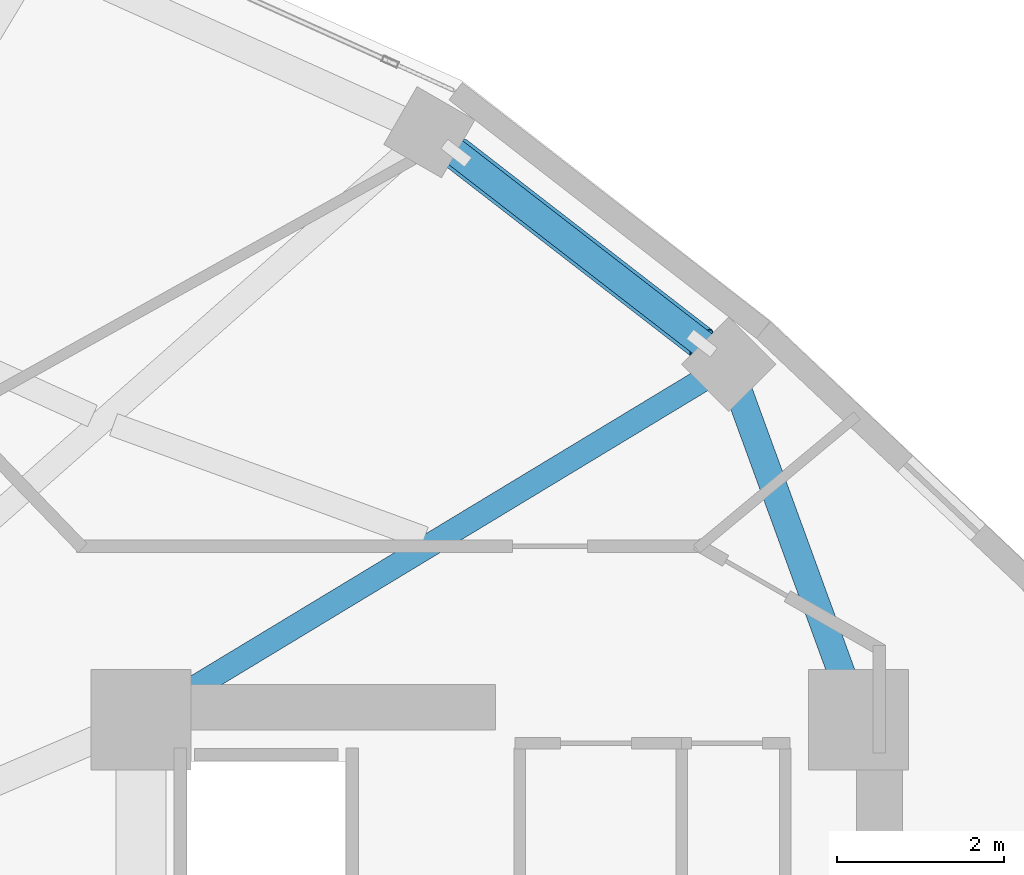
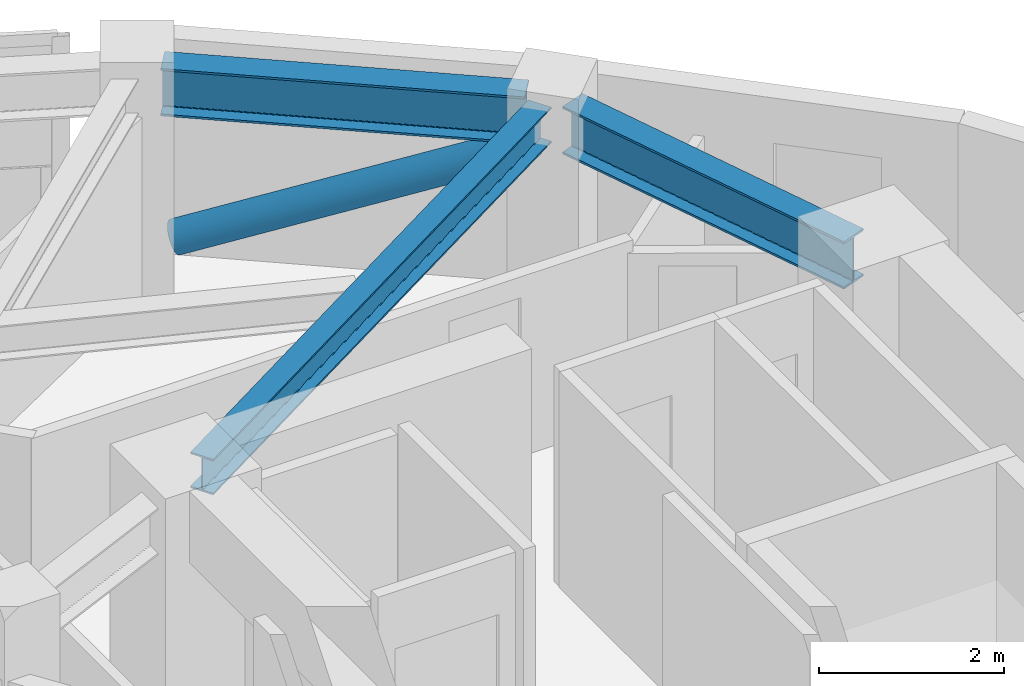
# One storey, part 6 of 16: 3 beams, 1 member.
"""IFC4 building model written with IfcOpenShell, lengths in metres."""

from ifc_helpers import new_model, si_unit, direction, frame, origin, origin_2d, place, context, subcontext, project, spatial, hollow_circle, i_section, extrude, material, material_profile, profile_set, type_object, element, save


model = new_model("IFC4")

# Units and contexts
model_context = context("Model", 3, precision=1e-05, world=origin(), true_north=direction((0.0, 1.0)))
body_context = subcontext(model_context, "Body", "Model", "MODEL_VIEW")
ifc_project = project(units=[si_unit("LENGTHUNIT", "METRE"), si_unit("AREAUNIT", "SQUARE_METRE"), si_unit("VOLUMEUNIT", "CUBIC_METRE"), si_unit("PLANEANGLEUNIT", "RADIAN"), si_unit("MASSUNIT", "GRAM", prefix="KILO")], contexts=[model_context])

# Site, building, storey
site_placement = place(None, origin())
site = spatial("IfcSite", under=ifc_project, at=site_placement, CompositionType="ELEMENT")
building_placement = place(site_placement, origin())
building = spatial("IfcBuilding", under=site, at=building_placement, Name="Solvane Sanctuary Tower", CompositionType="ELEMENT")
storey_placement = place(building_placement, frame((0.0, 0.0, 226.39990234375)))
storey = spatial("IfcBuildingStorey", under=building, at=storey_placement, Name="L69", CompositionType="ELEMENT", Elevation=226.39990234375)

# Beams
ifc_material = material(Name="Steel ASTM A992 Grade 50", Category="steel")
ifc_material_profile_1 = material_profile(ifc_material, i_section(OverallWidth=0.282958984375, OverallDepth=0.471923828125, WebThickness=0.013671875, FlangeThickness=0.022216796875, FilletRadius=0.013916015625, at=origin_2d()), Name="W18X97")
ifc_profile_set_1 = profile_set([ifc_material_profile_1], Name="Steel ASTM A992 Grade 50")
beam_type_1 = type_object("IfcBeamType", Name="Beam B-RAD-Z4 W18X97", PredefinedType="JOIST", material=ifc_profile_set_1)
beam_1_placement = place(storey_placement, frame((40.407958984375, 30.38623046875, 2.64208984375), z_axis=(0.855612120123, 0.517617522789, 0.0), x_axis=(-0.517617522789, 0.855612120123, 0.0)))
element("IfcBeam", 1, at=beam_1_placement, inside=storey, type_object=beam_type_1, Name="L69 Radial Composite Floor Beam 01", PredefinedType="JOIST", context=body_context, shape_type="SweptSolid", body=[
    extrude(i_section(OverallWidth=0.282958984375, OverallDepth=0.471923828125, WebThickness=0.013671875, FlangeThickness=0.022216796875, FilletRadius=0.013916015625, at=origin_2d()), origin(), (0.0, 0.0, 1.0), 7.59375),
])
ifc_material_profile_2 = material_profile(ifc_material, i_section(OverallWidth=0.327880859375, OverallDepth=0.6279296875, WebThickness=0.0166015625, FlangeThickness=0.027587890625, FilletRadius=0.01611328125, at=origin_2d()), Name="W24X146")
ifc_profile_set_2 = profile_set([ifc_material_profile_2], Name="Steel ASTM A992 Grade 50")
beam_type_2 = type_object("IfcBeamType", Name="Beam B-SPAND-Z3 W24X146", PredefinedType="SPANDREL", material=ifc_profile_set_2)
beam_2_placement = place(storey_placement, frame((43.776611328125, 37.070068359375, 2.564208984375), z_axis=(0.79064516309, -0.612274632891, 0.0), x_axis=(0.612274632891, 0.79064516309, 0.0)))
element("IfcBeam", 2, at=beam_2_placement, inside=storey, type_object=beam_type_2, Name="L69 Perimeter Spandrel Beam TC02-TC01", PredefinedType="SPANDREL", context=body_context, shape_type="SweptSolid", body=[
    extrude(i_section(OverallWidth=0.327880859375, OverallDepth=0.6279296875, WebThickness=0.0166015625, FlangeThickness=0.027587890625, FilletRadius=0.01611328125, at=origin_2d()), origin(), (0.0, 0.0, 1.0), 3.980224609375),
])
beam_3_placement = place(storey_placement, frame((47.240966796875, 34.19873046875, 2.564208984375), z_axis=(0.34275337431, -0.939425422478, 0.0), x_axis=(0.939425422478, 0.34275337431, 0.0)))
element("IfcBeam", 3, at=beam_3_placement, inside=storey, type_object=beam_type_2, Name="L69 Perimeter Spandrel Beam TC01-CE3", PredefinedType="SPANDREL", context=body_context, shape_type="SweptSolid", body=[
    extrude(i_section(OverallWidth=0.327880859375, OverallDepth=0.6279296875, WebThickness=0.0166015625, FlangeThickness=0.027587890625, FilletRadius=0.01611328125, at=origin_2d()), origin(), (0.0, 0.0, 1.0), 3.976806640625),
])

# Member
ifc_material_profile_3 = material_profile(ifc_material, hollow_circle(Radius=0.202880859375, WallThickness=0.012451171875, at=origin_2d()), Name="CHS406X12.5")
ifc_profile_set_3 = profile_set([ifc_material_profile_3], Name="Steel ASTM A992 Grade 50")
member_type = type_object("IfcMemberType", Name="Member M-TUBE-Z3 CHS406X12.5", PredefinedType="BRACE", material=ifc_profile_set_3)
member_placement = place(storey_placement, frame((43.881591796875, 36.988525390625, 0.55029296875), z_axis=(0.731107007781, -0.566120263028, 0.380776037799), x_axis=(0.612242116954, 0.790670342322, 0.0)))
element("IfcMember", 4, at=member_placement, inside=storey, type_object=member_type, Name="L69 Perimeter Braced-Tube Diagonal NE", PredefinedType="BRACE", context=body_context, shape_type="SweptSolid", body=[
    extrude(hollow_circle(Radius=0.202880859375, WallThickness=0.012451171875, at=origin_2d()), origin(), (0.0, 0.0, 1.0), 4.017578125),
])

save(model, "model.ifc")
